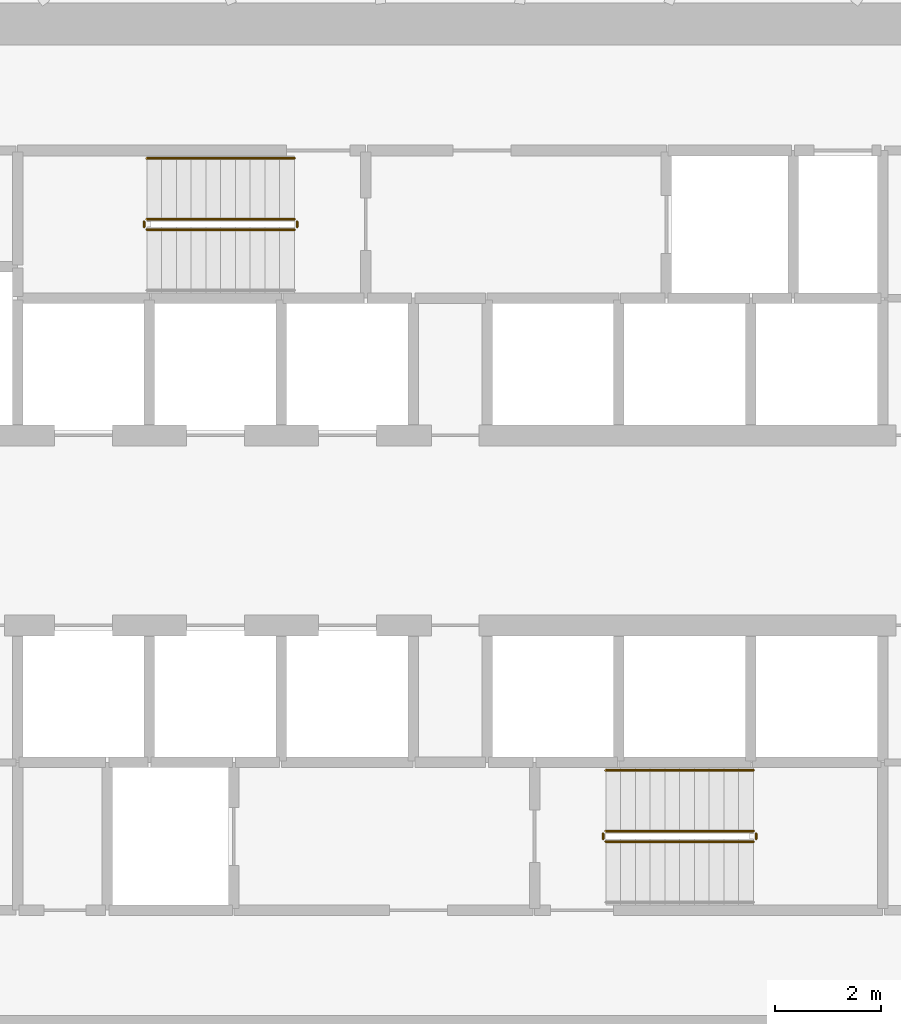
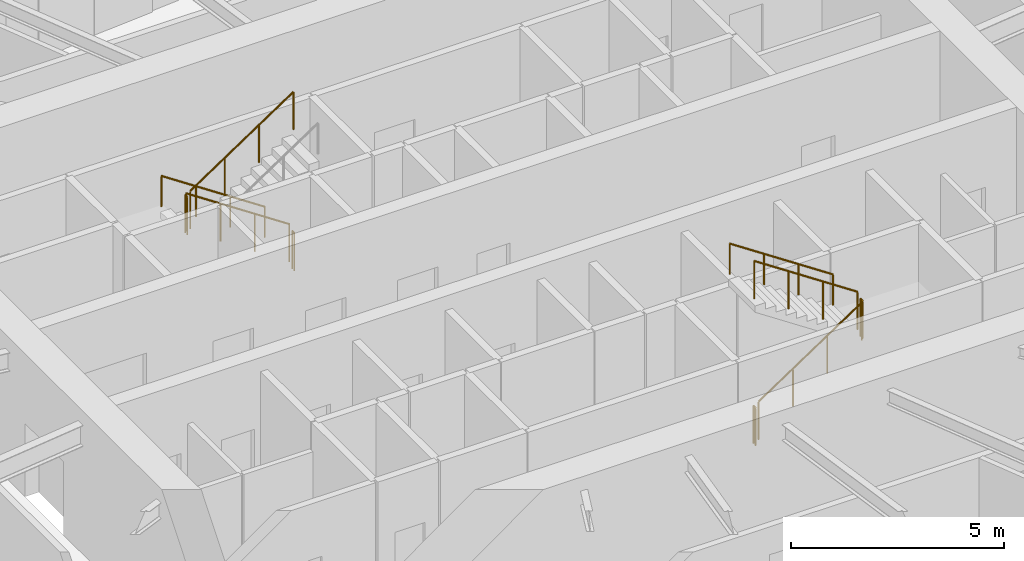
# One storey, part 16 of 17: 10 railings.
"""IFC4 building model written with IfcOpenShell, lengths in metres."""

from ifc_helpers import new_model, si_unit, direction, frame, origin, origin_2d, place, context, subcontext, project, spatial, circle, extrude, material, type_object, element, save


model = new_model("IFC4")

# Units and contexts
model_context = context("Model", 3, precision=1e-05, world=origin(), true_north=direction((0.0, 1.0)))
body_context = subcontext(model_context, "Body", "Model", "MODEL_VIEW")
ifc_project = project(units=[si_unit("LENGTHUNIT", "METRE"), si_unit("AREAUNIT", "SQUARE_METRE"), si_unit("VOLUMEUNIT", "CUBIC_METRE"), si_unit("PLANEANGLEUNIT", "RADIAN"), si_unit("MASSUNIT", "GRAM", prefix="KILO")], contexts=[model_context])

# Site, building, storey
site_placement = place(None, origin())
site = spatial("IfcSite", under=ifc_project, at=site_placement, CompositionType="ELEMENT")
building_placement = place(site_placement, origin())
building = spatial("IfcBuilding", under=site, at=building_placement, Name="Spindrift Exchange Tower", CompositionType="ELEMENT")
storey_placement = place(building_placement, frame((0.0, 0.0, 96.199951171875)))
storey = spatial("IfcBuildingStorey", under=building, at=storey_placement, Name="L22", CompositionType="ELEMENT", Elevation=96.199951171875)

# Railings
ifc_material_1 = material(Name="Steel balustrade", Category="steel")
railing_type_1 = type_object("IfcRailingType", Name="RL-STAIR-GUARD", PredefinedType="GUARDRAIL", material=ifc_material_1)
railing_1_placement = place(storey_placement, frame((49.050048828125, 53.89990234375, 0.1865234375)))
element("IfcRailing", 1, at=railing_1_placement, inside=storey, type_object=railing_type_1, Name="L22 ST1 stair guard 1", PredefinedType="GUARDRAIL", context=body_context, shape_type="SweptSolid", body=[
    extrude(circle(Radius=0.02392578125, at=origin_2d()), frame((0.0, 0.0, 1.076171875), z_axis=(-0.832485552168, 0.0, 0.554046753832), x_axis=(0.0, -1.0, 0.0)), (0.0, 0.0, 1.0), 3.363525390625),
    extrude(circle(Radius=0.02099609375, at=origin_2d()), origin(), (0.0, 0.0, 1.0), 1.052001953125),
    extrude(circle(Radius=0.02099609375, at=origin_2d()), frame((-0.933349609375, 0.0, 0.62109375)), (0.0, 0.0, 1.0), 1.052001953125),
    extrude(circle(Radius=0.02099609375, at=origin_2d()), frame((-1.86669921875, 0.0, 1.242431640625)), (0.0, 0.0, 1.0), 1.052001953125),
    extrude(circle(Radius=0.02099609375, at=origin_2d()), frame((-2.800048828125, 0.0, 1.863525390625)), (0.0, 0.0, 1.0), 1.052001953125),
])
railing_2_placement = place(storey_placement, frame((46.199951171875, 53.85009765625, 2.050048828125)))
element("IfcRailing", 2, at=railing_2_placement, inside=storey, type_object=railing_type_1, Name="L22 ST1 stair guard 2", PredefinedType="GUARDRAIL", context=body_context, shape_type="SweptSolid", body=[
    extrude(circle(Radius=0.02392578125, at=origin_2d()), frame((0.0, 0.0, 1.076171875), z_axis=(0.0, -1.0, 0.0), x_axis=(1.0, 0.0, 0.0)), (0.0, 0.0, 1.0), 0.10009765625),
    extrude(circle(Radius=0.02099609375, at=origin_2d()), origin(), (0.0, 0.0, 1.0), 1.052001953125),
    extrude(circle(Radius=0.02099609375, at=origin_2d()), frame((0.0, -0.10009765625, 0.0)), (0.0, 0.0, 1.0), 1.052001953125),
])
railing_3_placement = place(storey_placement, frame((46.25, 53.699951171875, 2.236328125)))
element("IfcRailing", 3, at=railing_3_placement, inside=storey, type_object=railing_type_1, Name="L22 ST1 stair guard 3", PredefinedType="GUARDRAIL", context=body_context, shape_type="SweptSolid", body=[
    extrude(circle(Radius=0.02392578125, at=origin_2d()), frame((0.0, 0.0, 1.076171875), z_axis=(0.832452072856, 0.0, 0.554097055034), x_axis=(0.0, 1.0, 0.0)), (0.0, 0.0, 1.0), 3.363525390625),
    extrude(circle(Radius=0.02099609375, at=origin_2d()), origin(), (0.0, 0.0, 1.0), 1.052001953125),
    extrude(circle(Radius=0.02099609375, at=origin_2d()), frame((0.933349609375, 0.0, 0.621337890625)), (0.0, 0.0, 1.0), 1.052001953125),
    extrude(circle(Radius=0.02099609375, at=origin_2d()), frame((1.86669921875, 0.0, 1.242431640625)), (0.0, 0.0, 1.0), 1.052001953125),
    extrude(circle(Radius=0.02099609375, at=origin_2d()), frame((2.800048828125, 0.0, 1.86376953125)), (0.0, 0.0, 1.0), 1.052001953125),
])
railing_4_placement = place(storey_placement, frame((49.10009765625, 53.85009765625, 0.0)))
element("IfcRailing", 4, at=railing_4_placement, inside=storey, type_object=railing_type_1, Name="L22 ST1 stair guard 4", PredefinedType="GUARDRAIL", context=body_context, shape_type="SweptSolid", body=[
    extrude(circle(Radius=0.02392578125, at=origin_2d()), frame((0.0, 0.0, 1.076171875), z_axis=(0.0, -1.0, 0.0), x_axis=(1.0, 0.0, 0.0)), (0.0, 0.0, 1.0), 0.10009765625),
    extrude(circle(Radius=0.02099609375, at=origin_2d()), origin(), (0.0, 0.0, 1.0), 1.052001953125),
    extrude(circle(Radius=0.02099609375, at=origin_2d()), frame((0.0, -0.10009765625, 0.0)), (0.0, 0.0, 1.0), 1.052001953125),
])
railing_5_placement = place(storey_placement, frame((54.949951171875, 42.10009765625, 0.1865234375)))
element("IfcRailing", 5, at=railing_5_placement, inside=storey, type_object=railing_type_1, Name="L22 ST2 stair guard 1", PredefinedType="GUARDRAIL", context=body_context, shape_type="SweptSolid", body=[
    extrude(circle(Radius=0.02392578125, at=origin_2d()), frame((0.0, 0.0, 1.076171875), z_axis=(0.832485552168, 0.0, 0.554046753832), x_axis=(0.0, 1.0, 0.0)), (0.0, 0.0, 1.0), 3.363525390625),
    extrude(circle(Radius=0.02099609375, at=origin_2d()), origin(), (0.0, 0.0, 1.0), 1.052001953125),
    extrude(circle(Radius=0.02099609375, at=origin_2d()), frame((0.933349609375, 0.0, 0.62109375)), (0.0, 0.0, 1.0), 1.052001953125),
    extrude(circle(Radius=0.02099609375, at=origin_2d()), frame((1.86669921875, 0.0, 1.242431640625)), (0.0, 0.0, 1.0), 1.052001953125),
    extrude(circle(Radius=0.02099609375, at=origin_2d()), frame((2.800048828125, 0.0, 1.863525390625)), (0.0, 0.0, 1.0), 1.052001953125),
])
railing_6_placement = place(storey_placement, frame((57.800048828125, 42.14990234375, 2.050048828125)))
element("IfcRailing", 6, at=railing_6_placement, inside=storey, type_object=railing_type_1, Name="L22 ST2 stair guard 2", PredefinedType="GUARDRAIL", context=body_context, shape_type="SweptSolid", body=[
    extrude(circle(Radius=0.02392578125, at=origin_2d()), frame((0.0, 0.0, 1.076171875), z_axis=(0.0, 1.0, 0.0), x_axis=(-1.0, 0.0, 0.0)), (0.0, 0.0, 1.0), 0.10009765625),
    extrude(circle(Radius=0.02099609375, at=origin_2d()), origin(), (0.0, 0.0, 1.0), 1.052001953125),
    extrude(circle(Radius=0.02099609375, at=origin_2d()), frame((0.0, 0.10009765625, 0.0)), (0.0, 0.0, 1.0), 1.052001953125),
])
railing_7_placement = place(storey_placement, frame((57.75, 42.300048828125, 2.236328125)))
element("IfcRailing", 7, at=railing_7_placement, inside=storey, type_object=railing_type_1, Name="L22 ST2 stair guard 3", PredefinedType="GUARDRAIL", context=body_context, shape_type="SweptSolid", body=[
    extrude(circle(Radius=0.02392578125, at=origin_2d()), frame((0.0, 0.0, 1.076171875), z_axis=(-0.832452072856, 0.0, 0.554097055034), x_axis=(0.0, -1.0, 0.0)), (0.0, 0.0, 1.0), 3.363525390625),
    extrude(circle(Radius=0.02099609375, at=origin_2d()), origin(), (0.0, 0.0, 1.0), 1.052001953125),
    extrude(circle(Radius=0.02099609375, at=origin_2d()), frame((-0.933349609375, 0.0, 0.621337890625)), (0.0, 0.0, 1.0), 1.052001953125),
    extrude(circle(Radius=0.02099609375, at=origin_2d()), frame((-1.86669921875, 0.0, 1.242431640625)), (0.0, 0.0, 1.0), 1.052001953125),
    extrude(circle(Radius=0.02099609375, at=origin_2d()), frame((-2.800048828125, 0.0, 1.86376953125)), (0.0, 0.0, 1.0), 1.052001953125),
])
railing_8_placement = place(storey_placement, frame((54.89990234375, 42.14990234375, 0.0)))
element("IfcRailing", 8, at=railing_8_placement, inside=storey, type_object=railing_type_1, Name="L22 ST2 stair guard 4", PredefinedType="GUARDRAIL", context=body_context, shape_type="SweptSolid", body=[
    extrude(circle(Radius=0.02392578125, at=origin_2d()), frame((0.0, 0.0, 1.076171875), z_axis=(0.0, 1.0, 0.0), x_axis=(-1.0, 0.0, 0.0)), (0.0, 0.0, 1.0), 0.10009765625),
    extrude(circle(Radius=0.02099609375, at=origin_2d()), origin(), (0.0, 0.0, 1.0), 1.052001953125),
    extrude(circle(Radius=0.02099609375, at=origin_2d()), frame((0.0, 0.10009765625, 0.0)), (0.0, 0.0, 1.0), 1.052001953125),
])
ifc_material_2 = material(Name="Steel tubular handrail", Category="steel")
railing_type_2 = type_object("IfcRailingType", Name="RL-STAIR-HAND", PredefinedType="HANDRAIL", material=ifc_material_2)
railing_9_placement = place(storey_placement, frame((49.050048828125, 55.050048828125, 0.1865234375)))
element("IfcRailing", 9, at=railing_9_placement, inside=storey, type_object=railing_type_2, Name="L22 ST1 stair handrail 1", PredefinedType="HANDRAIL", context=body_context, shape_type="SweptSolid", body=[
    extrude(circle(Radius=0.02392578125, at=origin_2d()), frame((0.0, 0.0, 0.8759765625), z_axis=(-0.832485552168, 0.0, 0.554046753832), x_axis=(0.0, -1.0, 0.0)), (0.0, 0.0, 1.0), 3.363525390625),
    extrude(circle(Radius=0.02099609375, at=origin_2d()), origin(), (0.0, 0.0, 1.0), 0.851806640625),
    extrude(circle(Radius=0.02099609375, at=origin_2d()), frame((-0.933349609375, 0.0, 0.62109375)), (0.0, 0.0, 1.0), 0.851806640625),
    extrude(circle(Radius=0.02099609375, at=origin_2d()), frame((-1.86669921875, 0.0, 1.242431640625)), (0.0, 0.0, 1.0), 0.851806640625),
    extrude(circle(Radius=0.02099609375, at=origin_2d()), frame((-2.800048828125, 0.0, 1.863525390625)), (0.0, 0.0, 1.0), 0.851806640625),
])
railing_10_placement = place(storey_placement, frame((57.75, 43.449951171875, 2.236328125)))
element("IfcRailing", 10, at=railing_10_placement, inside=storey, type_object=railing_type_2, Name="L22 ST2 stair handrail 2", PredefinedType="HANDRAIL", context=body_context, shape_type="SweptSolid", body=[
    extrude(circle(Radius=0.02392578125, at=origin_2d()), frame((0.0, 0.0, 0.8759765625), z_axis=(-0.832452072856, 0.0, 0.554097055034), x_axis=(0.0, -1.0, 0.0)), (0.0, 0.0, 1.0), 3.363525390625),
    extrude(circle(Radius=0.02099609375, at=origin_2d()), origin(), (0.0, 0.0, 1.0), 0.851806640625),
    extrude(circle(Radius=0.02099609375, at=origin_2d()), frame((-0.933349609375, 0.0, 0.621337890625)), (0.0, 0.0, 1.0), 0.851806640625),
    extrude(circle(Radius=0.02099609375, at=origin_2d()), frame((-1.86669921875, 0.0, 1.242431640625)), (0.0, 0.0, 1.0), 0.851806640625),
    extrude(circle(Radius=0.02099609375, at=origin_2d()), frame((-2.800048828125, 0.0, 1.86376953125)), (0.0, 0.0, 1.0), 0.851806640625),
])

save(model, "model.ifc")
